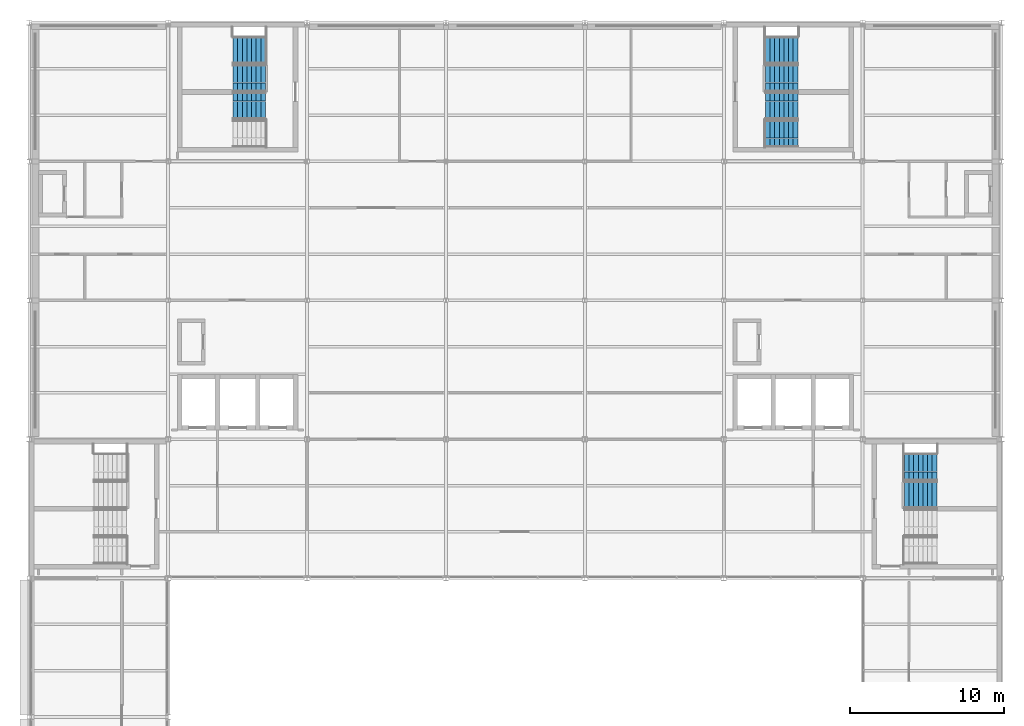
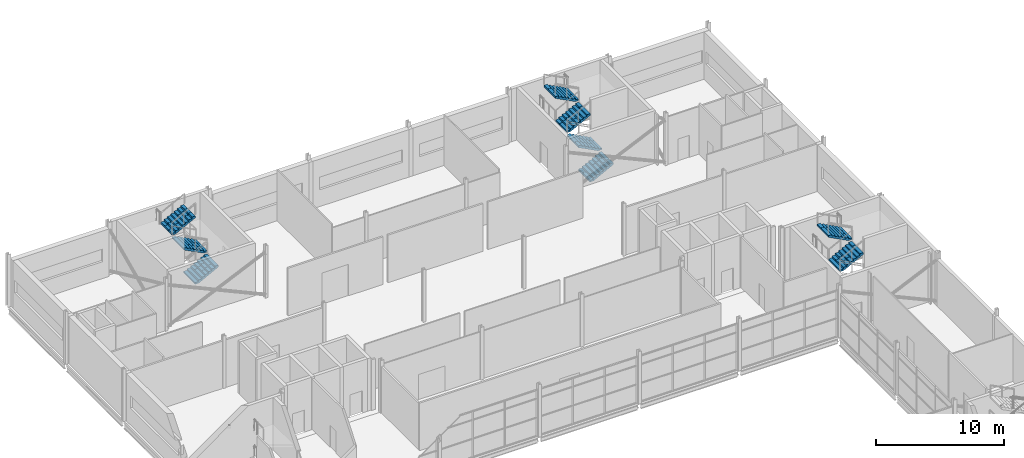
# One storey, part 55 of 61: 9 stair flights, 3 elements without a shape of their own.
"""IFC4 building model written with IfcOpenShell, lengths in metres."""

from ifc_helpers import new_model, si_unit, direction, frame, origin, place, context, subcontext, project, spatial, polyline, outline, extrude, material, type_object, element, aggregate, save


model = new_model("IFC4")

# Units and contexts
model_context = context("Model", 3, precision=1e-05, world=origin(), true_north=direction((0.0, 1.0)))
body_context = subcontext(model_context, "Body", "Model", "MODEL_VIEW")
ifc_project = project(units=[si_unit("LENGTHUNIT", "METRE"), si_unit("AREAUNIT", "SQUARE_METRE"), si_unit("VOLUMEUNIT", "CUBIC_METRE"), si_unit("PLANEANGLEUNIT", "RADIAN"), si_unit("MASSUNIT", "GRAM", prefix="KILO")], contexts=[model_context])

# Site, building, storey
site_placement = place(None, origin())
site = spatial("IfcSite", under=ifc_project, at=site_placement, CompositionType="ELEMENT")
building_placement = place(site_placement, origin())
building = spatial("IfcBuilding", under=site, at=building_placement, Name="Shorebreak Coast Museum", CompositionType="ELEMENT")
storey_placement = place(building_placement, frame((0.0, 0.0, 26.0)))
storey = spatial("IfcBuildingStorey", under=building, at=storey_placement, Name="L04", CompositionType="ELEMENT", Elevation=26.0)

# Stair, stair flights
ifc_material_1 = material(Name="Concrete N40 (40 MPa)", Category="concrete")
stair_type = type_object("IfcStairType", Name="Stair run 5 m", PredefinedType="DOUBLE_RETURN_STAIR", material=ifc_material_1)
stair_1_placement = place(storey_placement, origin())
stair_1 = element("IfcStair", 1, at=stair_1_placement, inside=storey, type_object=stair_type, Name="Exit stair ST04-L04", PredefinedType="DOUBLE_RETURN_STAIR")
ifc_material_2 = material(Name="Concrete N40 (40 MPa)", Category="concrete")
stair_flight_type = type_object("IfcStairFlightType", Name="Stair flight 8 risers 156.25", PredefinedType="STRAIGHT", material=ifc_material_2)
stair_flight_1_placement = place(storey_placement, frame((110.699951171875, 86.39990234375, 2.5), z_axis=(0.0, 0.0, 1.0), x_axis=(1.0, 0.0, 0.0)))
stair_flight_1 = element("IfcStairFlight", 2, at=stair_flight_1_placement, type_object=stair_flight_type, Name="ST04-L04 flight 3", NumberOfRisers=8, NumberOfTreads=7, PredefinedType="STRAIGHT", RiserHeight=0.15625, TreadLength=0.3, context=body_context, shape_type="SweptSolid", body=[
    extrude(outline(polyline([(0.0, 0.0), (0.0, 0.15625), (0.300048828125, 0.15625), (0.300048828125, 0.3125), (0.60009765625, 0.3125), (0.60009765625, 0.46875), (0.89990234375, 0.46875), (0.89990234375, 0.625), (1.199951171875, 0.625), (1.199951171875, 0.78125), (1.5, 0.78125), (1.5, 0.9375), (1.800048828125, 0.9375), (1.800048828125, 1.09375), (2.10009765625, 1.09375), (2.10009765625, 1.25), (2.10009765625, 0.9248046875), (0.324462890625, 0.0), (0.0, 0.0)])), frame((0.0, 0.89990234375, 0.0), z_axis=(0.0, -1.0, 0.0), x_axis=(1.0, 0.0, 0.0)), (0.0, 0.0, 1.0), 0.59326171875),
    extrude(outline(polyline([(0.0, 0.0), (0.0, 0.15625), (0.300048828125, 0.15625), (0.300048828125, 0.3125), (0.60009765625, 0.3125), (0.60009765625, 0.46875), (0.89990234375, 0.46875), (0.89990234375, 0.625), (1.199951171875, 0.625), (1.199951171875, 0.78125), (1.5, 0.78125), (1.5, 0.9375), (1.800048828125, 0.9375), (1.800048828125, 1.09375), (2.10009765625, 1.09375), (2.10009765625, 1.25), (2.10009765625, 0.9248046875), (0.324462890625, 0.0), (0.0, 0.0)])), frame((0.0, 0.296630859375, 0.0), z_axis=(0.0, -1.0, 0.0), x_axis=(1.0, 0.0, 0.0)), (0.0, 0.0, 1.0), 0.59326171875),
    extrude(outline(polyline([(0.0, 0.0), (0.0, 0.15625), (0.300048828125, 0.15625), (0.300048828125, 0.3125), (0.60009765625, 0.3125), (0.60009765625, 0.46875), (0.89990234375, 0.46875), (0.89990234375, 0.625), (1.199951171875, 0.625), (1.199951171875, 0.78125), (1.5, 0.78125), (1.5, 0.9375), (1.800048828125, 0.9375), (1.800048828125, 1.09375), (2.10009765625, 1.09375), (2.10009765625, 1.25), (2.10009765625, 0.9248046875), (0.324462890625, 0.0), (0.0, 0.0)])), frame((0.0, -0.306640625, 0.0), z_axis=(0.0, -1.0, 0.0), x_axis=(1.0, 0.0, 0.0)), (0.0, 0.0, 1.0), 0.59326171875),
])
stair_flight_2_placement = place(storey_placement, frame((112.800048828125, 88.199951171875, 3.75), z_axis=(0.0, 0.0, 1.0), x_axis=(-1.0, 0.0, 0.0)))
stair_flight_2 = element("IfcStairFlight", 3, at=stair_flight_2_placement, type_object=stair_flight_type, Name="ST04-L04 flight 4", NumberOfRisers=8, NumberOfTreads=7, PredefinedType="STRAIGHT", RiserHeight=0.15625, TreadLength=0.3, context=body_context, shape_type="SweptSolid", body=[
    extrude(outline(polyline([(0.0, 0.0), (0.0, 0.15625), (0.300048828125, 0.15625), (0.300048828125, 0.3125), (0.60009765625, 0.3125), (0.60009765625, 0.46875), (0.89990234375, 0.46875), (0.89990234375, 0.625), (1.199951171875, 0.625), (1.199951171875, 0.78125), (1.5, 0.78125), (1.5, 0.9375), (1.800048828125, 0.9375), (1.800048828125, 1.09375), (2.10009765625, 1.09375), (2.10009765625, 1.25), (2.10009765625, 0.9248046875), (0.324462890625, 0.0), (0.0, 0.0)])), frame((0.0, 0.89990234375, 0.0), z_axis=(0.0, -1.0, 0.0), x_axis=(1.0, 0.0, 0.0)), (0.0, 0.0, 1.0), 0.59326171875),
    extrude(outline(polyline([(0.0, 0.0), (0.0, 0.15625), (0.300048828125, 0.15625), (0.300048828125, 0.3125), (0.60009765625, 0.3125), (0.60009765625, 0.46875), (0.89990234375, 0.46875), (0.89990234375, 0.625), (1.199951171875, 0.625), (1.199951171875, 0.78125), (1.5, 0.78125), (1.5, 0.9375), (1.800048828125, 0.9375), (1.800048828125, 1.09375), (2.10009765625, 1.09375), (2.10009765625, 1.25), (2.10009765625, 0.9248046875), (0.324462890625, 0.0), (0.0, 0.0)])), frame((0.0, 0.296630859375, 0.0), z_axis=(0.0, -1.0, 0.0), x_axis=(1.0, 0.0, 0.0)), (0.0, 0.0, 1.0), 0.59326171875),
    extrude(outline(polyline([(0.0, 0.0), (0.0, 0.15625), (0.300048828125, 0.15625), (0.300048828125, 0.3125), (0.60009765625, 0.3125), (0.60009765625, 0.46875), (0.89990234375, 0.46875), (0.89990234375, 0.625), (1.199951171875, 0.625), (1.199951171875, 0.78125), (1.5, 0.78125), (1.5, 0.9375), (1.800048828125, 0.9375), (1.800048828125, 1.09375), (2.10009765625, 1.09375), (2.10009765625, 1.25), (2.10009765625, 0.9248046875), (0.324462890625, 0.0), (0.0, 0.0)])), frame((0.0, -0.306640625, 0.0), z_axis=(0.0, -1.0, 0.0), x_axis=(1.0, 0.0, 0.0)), (0.0, 0.0, 1.0), 0.59326171875),
])
aggregate(stair_1, [stair_flight_1, stair_flight_2])

stair_2_placement = place(storey_placement, origin())
stair_2 = element("IfcStair", 4, at=stair_2_placement, inside=storey, type_object=stair_type, Name="Exit stair ST09-L04", PredefinedType="DOUBLE_RETURN_STAIR")
stair_flight_3_placement = place(storey_placement, frame((67.199951171875, 111.60009765625, 1.25), z_axis=(0.0, 0.0, 1.0), x_axis=(1.0, 0.0, 0.0)))
stair_flight_3 = element("IfcStairFlight", 5, at=stair_flight_3_placement, type_object=stair_flight_type, Name="ST09-L04 flight 2", NumberOfRisers=8, NumberOfTreads=7, PredefinedType="STRAIGHT", RiserHeight=0.15625, TreadLength=0.3, context=body_context, shape_type="SweptSolid", body=[
    extrude(outline(polyline([(0.0, 0.0), (0.0, 0.15625), (0.300048828125, 0.15625), (0.300048828125, 0.3125), (0.60009765625, 0.3125), (0.60009765625, 0.46875), (0.89990234375, 0.46875), (0.89990234375, 0.625), (1.199951171875, 0.625), (1.199951171875, 0.78125), (1.5, 0.78125), (1.5, 0.9375), (1.800048828125, 0.9375), (1.800048828125, 1.09375), (2.10009765625, 1.09375), (2.10009765625, 1.25), (2.10009765625, 0.9248046875), (0.324462890625, 0.0), (0.0, 0.0)])), frame((0.0, 0.89990234375, 0.0), z_axis=(0.0, -1.0, 0.0), x_axis=(1.0, 0.0, 0.0)), (0.0, 0.0, 1.0), 0.59326171875),
    extrude(outline(polyline([(0.0, 0.0), (0.0, 0.15625), (0.300048828125, 0.15625), (0.300048828125, 0.3125), (0.60009765625, 0.3125), (0.60009765625, 0.46875), (0.89990234375, 0.46875), (0.89990234375, 0.625), (1.199951171875, 0.625), (1.199951171875, 0.78125), (1.5, 0.78125), (1.5, 0.9375), (1.800048828125, 0.9375), (1.800048828125, 1.09375), (2.10009765625, 1.09375), (2.10009765625, 1.25), (2.10009765625, 0.9248046875), (0.324462890625, 0.0), (0.0, 0.0)])), frame((0.0, 0.296630859375, 0.0), z_axis=(0.0, -1.0, 0.0), x_axis=(1.0, 0.0, 0.0)), (0.0, 0.0, 1.0), 0.59326171875),
    extrude(outline(polyline([(0.0, 0.0), (0.0, 0.15625), (0.300048828125, 0.15625), (0.300048828125, 0.3125), (0.60009765625, 0.3125), (0.60009765625, 0.46875), (0.89990234375, 0.46875), (0.89990234375, 0.625), (1.199951171875, 0.625), (1.199951171875, 0.78125), (1.5, 0.78125), (1.5, 0.9375), (1.800048828125, 0.9375), (1.800048828125, 1.09375), (2.10009765625, 1.09375), (2.10009765625, 1.25), (2.10009765625, 0.9248046875), (0.324462890625, 0.0), (0.0, 0.0)])), frame((0.0, -0.306640625, 0.0), z_axis=(0.0, -1.0, 0.0), x_axis=(1.0, 0.0, 0.0)), (0.0, 0.0, 1.0), 0.59326171875),
])
stair_flight_4_placement = place(storey_placement, frame((69.300048828125, 113.39990234375, 2.5), z_axis=(0.0, 0.0, 1.0), x_axis=(-1.0, 0.0, 0.0)))
stair_flight_4 = element("IfcStairFlight", 6, at=stair_flight_4_placement, type_object=stair_flight_type, Name="ST09-L04 flight 3", NumberOfRisers=8, NumberOfTreads=7, PredefinedType="STRAIGHT", RiserHeight=0.15625, TreadLength=0.3, context=body_context, shape_type="SweptSolid", body=[
    extrude(outline(polyline([(0.0, 0.0), (0.0, 0.15625), (0.300048828125, 0.15625), (0.300048828125, 0.3125), (0.60009765625, 0.3125), (0.60009765625, 0.46875), (0.89990234375, 0.46875), (0.89990234375, 0.625), (1.199951171875, 0.625), (1.199951171875, 0.78125), (1.5, 0.78125), (1.5, 0.9375), (1.800048828125, 0.9375), (1.800048828125, 1.09375), (2.10009765625, 1.09375), (2.10009765625, 1.25), (2.10009765625, 0.9248046875), (0.324462890625, 0.0), (0.0, 0.0)])), frame((0.0, 0.89990234375, 0.0), z_axis=(0.0, -1.0, 0.0), x_axis=(1.0, 0.0, 0.0)), (0.0, 0.0, 1.0), 0.59326171875),
    extrude(outline(polyline([(0.0, 0.0), (0.0, 0.15625), (0.300048828125, 0.15625), (0.300048828125, 0.3125), (0.60009765625, 0.3125), (0.60009765625, 0.46875), (0.89990234375, 0.46875), (0.89990234375, 0.625), (1.199951171875, 0.625), (1.199951171875, 0.78125), (1.5, 0.78125), (1.5, 0.9375), (1.800048828125, 0.9375), (1.800048828125, 1.09375), (2.10009765625, 1.09375), (2.10009765625, 1.25), (2.10009765625, 0.9248046875), (0.324462890625, 0.0), (0.0, 0.0)])), frame((0.0, 0.296630859375, 0.0), z_axis=(0.0, -1.0, 0.0), x_axis=(1.0, 0.0, 0.0)), (0.0, 0.0, 1.0), 0.59326171875),
    extrude(outline(polyline([(0.0, 0.0), (0.0, 0.15625), (0.300048828125, 0.15625), (0.300048828125, 0.3125), (0.60009765625, 0.3125), (0.60009765625, 0.46875), (0.89990234375, 0.46875), (0.89990234375, 0.625), (1.199951171875, 0.625), (1.199951171875, 0.78125), (1.5, 0.78125), (1.5, 0.9375), (1.800048828125, 0.9375), (1.800048828125, 1.09375), (2.10009765625, 1.09375), (2.10009765625, 1.25), (2.10009765625, 0.9248046875), (0.324462890625, 0.0), (0.0, 0.0)])), frame((0.0, -0.306640625, 0.0), z_axis=(0.0, -1.0, 0.0), x_axis=(1.0, 0.0, 0.0)), (0.0, 0.0, 1.0), 0.59326171875),
])
stair_flight_5_placement = place(storey_placement, frame((67.199951171875, 115.199951171875, 3.75), z_axis=(0.0, 0.0, 1.0), x_axis=(1.0, 0.0, 0.0)))
stair_flight_5 = element("IfcStairFlight", 7, at=stair_flight_5_placement, type_object=stair_flight_type, Name="ST09-L04 flight 4", NumberOfRisers=8, NumberOfTreads=7, PredefinedType="STRAIGHT", RiserHeight=0.15625, TreadLength=0.3, context=body_context, shape_type="SweptSolid", body=[
    extrude(outline(polyline([(0.0, 0.0), (0.0, 0.15625), (0.300048828125, 0.15625), (0.300048828125, 0.3125), (0.60009765625, 0.3125), (0.60009765625, 0.46875), (0.89990234375, 0.46875), (0.89990234375, 0.625), (1.199951171875, 0.625), (1.199951171875, 0.78125), (1.5, 0.78125), (1.5, 0.9375), (1.800048828125, 0.9375), (1.800048828125, 1.09375), (2.10009765625, 1.09375), (2.10009765625, 1.25), (2.10009765625, 0.9248046875), (0.324462890625, 0.0), (0.0, 0.0)])), frame((0.0, 0.89990234375, 0.0), z_axis=(0.0, -1.0, 0.0), x_axis=(1.0, 0.0, 0.0)), (0.0, 0.0, 1.0), 0.59326171875),
    extrude(outline(polyline([(0.0, 0.0), (0.0, 0.15625), (0.300048828125, 0.15625), (0.300048828125, 0.3125), (0.60009765625, 0.3125), (0.60009765625, 0.46875), (0.89990234375, 0.46875), (0.89990234375, 0.625), (1.199951171875, 0.625), (1.199951171875, 0.78125), (1.5, 0.78125), (1.5, 0.9375), (1.800048828125, 0.9375), (1.800048828125, 1.09375), (2.10009765625, 1.09375), (2.10009765625, 1.25), (2.10009765625, 0.9248046875), (0.324462890625, 0.0), (0.0, 0.0)])), frame((0.0, 0.296630859375, 0.0), z_axis=(0.0, -1.0, 0.0), x_axis=(1.0, 0.0, 0.0)), (0.0, 0.0, 1.0), 0.59326171875),
    extrude(outline(polyline([(0.0, 0.0), (0.0, 0.15625), (0.300048828125, 0.15625), (0.300048828125, 0.3125), (0.60009765625, 0.3125), (0.60009765625, 0.46875), (0.89990234375, 0.46875), (0.89990234375, 0.625), (1.199951171875, 0.625), (1.199951171875, 0.78125), (1.5, 0.78125), (1.5, 0.9375), (1.800048828125, 0.9375), (1.800048828125, 1.09375), (2.10009765625, 1.09375), (2.10009765625, 1.25), (2.10009765625, 0.9248046875), (0.324462890625, 0.0), (0.0, 0.0)])), frame((0.0, -0.306640625, 0.0), z_axis=(0.0, -1.0, 0.0), x_axis=(1.0, 0.0, 0.0)), (0.0, 0.0, 1.0), 0.59326171875),
])
aggregate(stair_2, [stair_flight_3, stair_flight_4, stair_flight_5])

stair_3_placement = place(storey_placement, origin())
stair_3 = element("IfcStair", 8, at=stair_3_placement, inside=storey, type_object=stair_type, Name="Exit stair ST10-L04", PredefinedType="DOUBLE_RETURN_STAIR")
stair_flight_6_placement = place(storey_placement, frame((101.699951171875, 109.800048828125, 0.0), z_axis=(0.0, 0.0, 1.0), x_axis=(1.0, 0.0, 0.0)))
stair_flight_6 = element("IfcStairFlight", 9, at=stair_flight_6_placement, type_object=stair_flight_type, Name="ST10-L04 flight 1", NumberOfRisers=8, NumberOfTreads=7, PredefinedType="STRAIGHT", RiserHeight=0.15625, TreadLength=0.3, context=body_context, shape_type="SweptSolid", body=[
    extrude(outline(polyline([(0.0, 0.0), (0.0, 0.15625), (0.300048828125, 0.15625), (0.300048828125, 0.3125), (0.60009765625, 0.3125), (0.60009765625, 0.46875), (0.89990234375, 0.46875), (0.89990234375, 0.625), (1.199951171875, 0.625), (1.199951171875, 0.78125), (1.5, 0.78125), (1.5, 0.9375), (1.800048828125, 0.9375), (1.800048828125, 1.09375), (2.10009765625, 1.09375), (2.10009765625, 1.25), (2.10009765625, 0.9248046875), (0.324462890625, 0.0), (0.0, 0.0)])), frame((0.0, 0.89990234375, 0.0), z_axis=(0.0, -1.0, 0.0), x_axis=(1.0, 0.0, 0.0)), (0.0, 0.0, 1.0), 0.59326171875),
    extrude(outline(polyline([(0.0, 0.0), (0.0, 0.15625), (0.300048828125, 0.15625), (0.300048828125, 0.3125), (0.60009765625, 0.3125), (0.60009765625, 0.46875), (0.89990234375, 0.46875), (0.89990234375, 0.625), (1.199951171875, 0.625), (1.199951171875, 0.78125), (1.5, 0.78125), (1.5, 0.9375), (1.800048828125, 0.9375), (1.800048828125, 1.09375), (2.10009765625, 1.09375), (2.10009765625, 1.25), (2.10009765625, 0.9248046875), (0.324462890625, 0.0), (0.0, 0.0)])), frame((0.0, 0.296630859375, 0.0), z_axis=(0.0, -1.0, 0.0), x_axis=(1.0, 0.0, 0.0)), (0.0, 0.0, 1.0), 0.59326171875),
    extrude(outline(polyline([(0.0, 0.0), (0.0, 0.15625), (0.300048828125, 0.15625), (0.300048828125, 0.3125), (0.60009765625, 0.3125), (0.60009765625, 0.46875), (0.89990234375, 0.46875), (0.89990234375, 0.625), (1.199951171875, 0.625), (1.199951171875, 0.78125), (1.5, 0.78125), (1.5, 0.9375), (1.800048828125, 0.9375), (1.800048828125, 1.09375), (2.10009765625, 1.09375), (2.10009765625, 1.25), (2.10009765625, 0.9248046875), (0.324462890625, 0.0), (0.0, 0.0)])), frame((0.0, -0.306640625, 0.0), z_axis=(0.0, -1.0, 0.0), x_axis=(1.0, 0.0, 0.0)), (0.0, 0.0, 1.0), 0.59326171875),
])
stair_flight_7_placement = place(storey_placement, frame((103.800048828125, 111.60009765625, 1.25), z_axis=(0.0, 0.0, 1.0), x_axis=(-1.0, 0.0, 0.0)))
stair_flight_7 = element("IfcStairFlight", 10, at=stair_flight_7_placement, type_object=stair_flight_type, Name="ST10-L04 flight 2", NumberOfRisers=8, NumberOfTreads=7, PredefinedType="STRAIGHT", RiserHeight=0.15625, TreadLength=0.3, context=body_context, shape_type="SweptSolid", body=[
    extrude(outline(polyline([(0.0, 0.0), (0.0, 0.15625), (0.300048828125, 0.15625), (0.300048828125, 0.3125), (0.60009765625, 0.3125), (0.60009765625, 0.46875), (0.89990234375, 0.46875), (0.89990234375, 0.625), (1.199951171875, 0.625), (1.199951171875, 0.78125), (1.5, 0.78125), (1.5, 0.9375), (1.800048828125, 0.9375), (1.800048828125, 1.09375), (2.10009765625, 1.09375), (2.10009765625, 1.25), (2.10009765625, 0.9248046875), (0.324462890625, 0.0), (0.0, 0.0)])), frame((0.0, 0.89990234375, 0.0), z_axis=(0.0, -1.0, 0.0), x_axis=(1.0, 0.0, 0.0)), (0.0, 0.0, 1.0), 0.59326171875),
    extrude(outline(polyline([(0.0, 0.0), (0.0, 0.15625), (0.300048828125, 0.15625), (0.300048828125, 0.3125), (0.60009765625, 0.3125), (0.60009765625, 0.46875), (0.89990234375, 0.46875), (0.89990234375, 0.625), (1.199951171875, 0.625), (1.199951171875, 0.78125), (1.5, 0.78125), (1.5, 0.9375), (1.800048828125, 0.9375), (1.800048828125, 1.09375), (2.10009765625, 1.09375), (2.10009765625, 1.25), (2.10009765625, 0.9248046875), (0.324462890625, 0.0), (0.0, 0.0)])), frame((0.0, 0.296630859375, 0.0), z_axis=(0.0, -1.0, 0.0), x_axis=(1.0, 0.0, 0.0)), (0.0, 0.0, 1.0), 0.59326171875),
    extrude(outline(polyline([(0.0, 0.0), (0.0, 0.15625), (0.300048828125, 0.15625), (0.300048828125, 0.3125), (0.60009765625, 0.3125), (0.60009765625, 0.46875), (0.89990234375, 0.46875), (0.89990234375, 0.625), (1.199951171875, 0.625), (1.199951171875, 0.78125), (1.5, 0.78125), (1.5, 0.9375), (1.800048828125, 0.9375), (1.800048828125, 1.09375), (2.10009765625, 1.09375), (2.10009765625, 1.25), (2.10009765625, 0.9248046875), (0.324462890625, 0.0), (0.0, 0.0)])), frame((0.0, -0.306640625, 0.0), z_axis=(0.0, -1.0, 0.0), x_axis=(1.0, 0.0, 0.0)), (0.0, 0.0, 1.0), 0.59326171875),
])
stair_flight_8_placement = place(storey_placement, frame((101.699951171875, 113.39990234375, 2.5), z_axis=(0.0, 0.0, 1.0), x_axis=(1.0, 0.0, 0.0)))
stair_flight_8 = element("IfcStairFlight", 11, at=stair_flight_8_placement, type_object=stair_flight_type, Name="ST10-L04 flight 3", NumberOfRisers=8, NumberOfTreads=7, PredefinedType="STRAIGHT", RiserHeight=0.15625, TreadLength=0.3, context=body_context, shape_type="SweptSolid", body=[
    extrude(outline(polyline([(0.0, 0.0), (0.0, 0.15625), (0.300048828125, 0.15625), (0.300048828125, 0.3125), (0.60009765625, 0.3125), (0.60009765625, 0.46875), (0.89990234375, 0.46875), (0.89990234375, 0.625), (1.199951171875, 0.625), (1.199951171875, 0.78125), (1.5, 0.78125), (1.5, 0.9375), (1.800048828125, 0.9375), (1.800048828125, 1.09375), (2.10009765625, 1.09375), (2.10009765625, 1.25), (2.10009765625, 0.9248046875), (0.324462890625, 0.0), (0.0, 0.0)])), frame((0.0, 0.89990234375, 0.0), z_axis=(0.0, -1.0, 0.0), x_axis=(1.0, 0.0, 0.0)), (0.0, 0.0, 1.0), 0.59326171875),
    extrude(outline(polyline([(0.0, 0.0), (0.0, 0.15625), (0.300048828125, 0.15625), (0.300048828125, 0.3125), (0.60009765625, 0.3125), (0.60009765625, 0.46875), (0.89990234375, 0.46875), (0.89990234375, 0.625), (1.199951171875, 0.625), (1.199951171875, 0.78125), (1.5, 0.78125), (1.5, 0.9375), (1.800048828125, 0.9375), (1.800048828125, 1.09375), (2.10009765625, 1.09375), (2.10009765625, 1.25), (2.10009765625, 0.9248046875), (0.324462890625, 0.0), (0.0, 0.0)])), frame((0.0, 0.296630859375, 0.0), z_axis=(0.0, -1.0, 0.0), x_axis=(1.0, 0.0, 0.0)), (0.0, 0.0, 1.0), 0.59326171875),
    extrude(outline(polyline([(0.0, 0.0), (0.0, 0.15625), (0.300048828125, 0.15625), (0.300048828125, 0.3125), (0.60009765625, 0.3125), (0.60009765625, 0.46875), (0.89990234375, 0.46875), (0.89990234375, 0.625), (1.199951171875, 0.625), (1.199951171875, 0.78125), (1.5, 0.78125), (1.5, 0.9375), (1.800048828125, 0.9375), (1.800048828125, 1.09375), (2.10009765625, 1.09375), (2.10009765625, 1.25), (2.10009765625, 0.9248046875), (0.324462890625, 0.0), (0.0, 0.0)])), frame((0.0, -0.306640625, 0.0), z_axis=(0.0, -1.0, 0.0), x_axis=(1.0, 0.0, 0.0)), (0.0, 0.0, 1.0), 0.59326171875),
])
stair_flight_9_placement = place(storey_placement, frame((103.800048828125, 115.199951171875, 3.75), z_axis=(0.0, 0.0, 1.0), x_axis=(-1.0, 0.0, 0.0)))
stair_flight_9 = element("IfcStairFlight", 12, at=stair_flight_9_placement, type_object=stair_flight_type, Name="ST10-L04 flight 4", NumberOfRisers=8, NumberOfTreads=7, PredefinedType="STRAIGHT", RiserHeight=0.15625, TreadLength=0.3, context=body_context, shape_type="SweptSolid", body=[
    extrude(outline(polyline([(0.0, 0.0), (0.0, 0.15625), (0.300048828125, 0.15625), (0.300048828125, 0.3125), (0.60009765625, 0.3125), (0.60009765625, 0.46875), (0.89990234375, 0.46875), (0.89990234375, 0.625), (1.199951171875, 0.625), (1.199951171875, 0.78125), (1.5, 0.78125), (1.5, 0.9375), (1.800048828125, 0.9375), (1.800048828125, 1.09375), (2.10009765625, 1.09375), (2.10009765625, 1.25), (2.10009765625, 0.9248046875), (0.324462890625, 0.0), (0.0, 0.0)])), frame((0.0, 0.89990234375, 0.0), z_axis=(0.0, -1.0, 0.0), x_axis=(1.0, 0.0, 0.0)), (0.0, 0.0, 1.0), 0.59326171875),
    extrude(outline(polyline([(0.0, 0.0), (0.0, 0.15625), (0.300048828125, 0.15625), (0.300048828125, 0.3125), (0.60009765625, 0.3125), (0.60009765625, 0.46875), (0.89990234375, 0.46875), (0.89990234375, 0.625), (1.199951171875, 0.625), (1.199951171875, 0.78125), (1.5, 0.78125), (1.5, 0.9375), (1.800048828125, 0.9375), (1.800048828125, 1.09375), (2.10009765625, 1.09375), (2.10009765625, 1.25), (2.10009765625, 0.9248046875), (0.324462890625, 0.0), (0.0, 0.0)])), frame((0.0, 0.296630859375, 0.0), z_axis=(0.0, -1.0, 0.0), x_axis=(1.0, 0.0, 0.0)), (0.0, 0.0, 1.0), 0.59326171875),
    extrude(outline(polyline([(0.0, 0.0), (0.0, 0.15625), (0.300048828125, 0.15625), (0.300048828125, 0.3125), (0.60009765625, 0.3125), (0.60009765625, 0.46875), (0.89990234375, 0.46875), (0.89990234375, 0.625), (1.199951171875, 0.625), (1.199951171875, 0.78125), (1.5, 0.78125), (1.5, 0.9375), (1.800048828125, 0.9375), (1.800048828125, 1.09375), (2.10009765625, 1.09375), (2.10009765625, 1.25), (2.10009765625, 0.9248046875), (0.324462890625, 0.0), (0.0, 0.0)])), frame((0.0, -0.306640625, 0.0), z_axis=(0.0, -1.0, 0.0), x_axis=(1.0, 0.0, 0.0)), (0.0, 0.0, 1.0), 0.59326171875),
])
aggregate(stair_3, [stair_flight_6, stair_flight_7, stair_flight_8, stair_flight_9])

save(model, "model.ifc")
